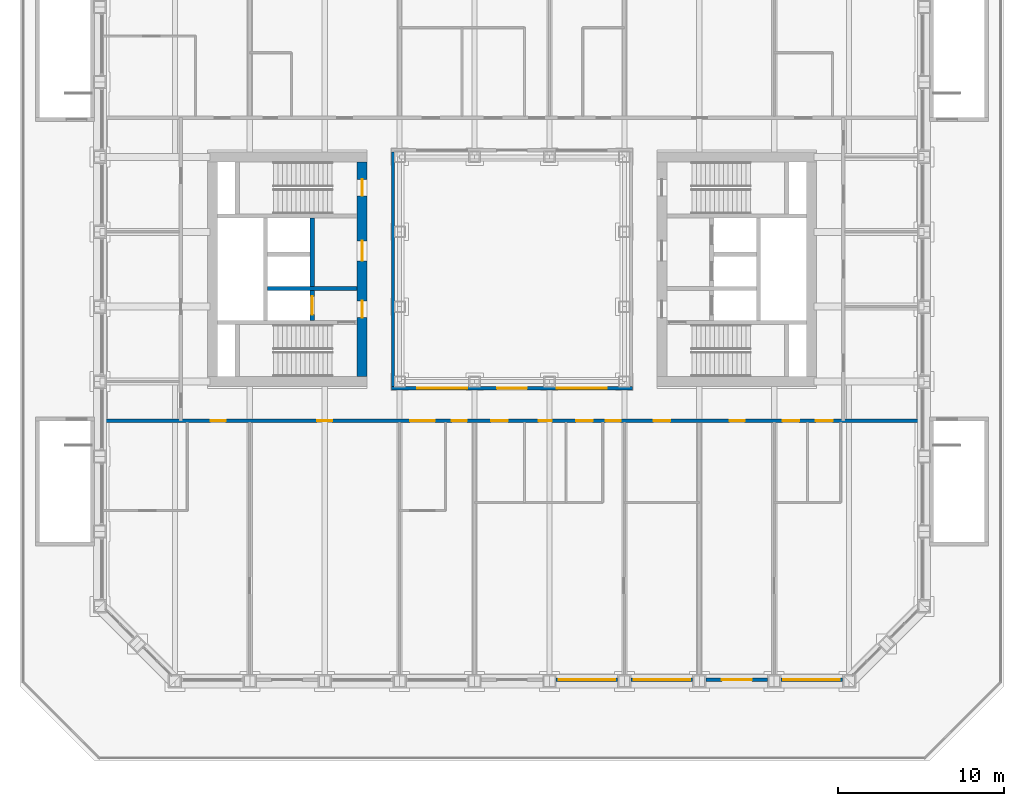
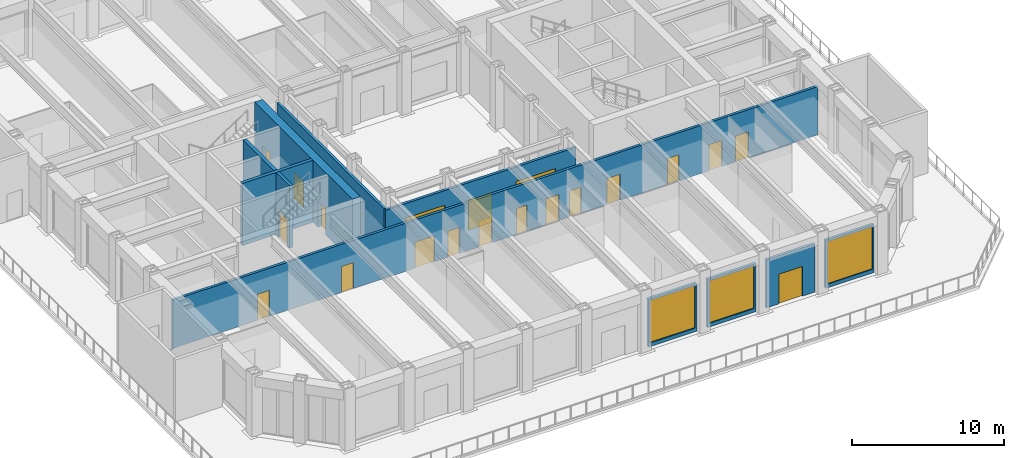
# One storey, part 10 of 18: 18 doors, 10 walls, 5 windows, 23 openings.
"""IFC4 building model written with IfcOpenShell, lengths in metres."""

from ifc_helpers import new_model, si_unit, direction, frame, frame_2d, origin, place, context, subcontext, project, spatial, rectangle, extrude, material, layer, layer_set, type_object, element, fill, save


model = new_model("IFC4")

# Units and contexts
model_context = context("Model", 3, precision=1e-05, world=origin(), true_north=direction((0.0, 1.0)))
body_context = subcontext(model_context, "Body", "Model", "MODEL_VIEW")
ifc_project = project(units=[si_unit("LENGTHUNIT", "METRE"), si_unit("AREAUNIT", "SQUARE_METRE"), si_unit("VOLUMEUNIT", "CUBIC_METRE"), si_unit("PLANEANGLEUNIT", "RADIAN"), si_unit("MASSUNIT", "GRAM", prefix="KILO")], contexts=[model_context])

# Site, building, storey
site_placement = place(None, origin())
site = spatial("IfcSite", under=ifc_project, at=site_placement, CompositionType="ELEMENT")
building_placement = place(site_placement, origin())
building = spatial("IfcBuilding", under=site, at=building_placement, Name="Msasa Ring Tower", CompositionType="ELEMENT")
storey_placement = place(building_placement, frame((0.0, 0.0, 21.5)))
storey = spatial("IfcBuildingStorey", under=building, at=storey_placement, Name="L04", CompositionType="ELEMENT", Elevation=21.5)

# Wall, openings, doors
ifc_material_1 = material(Name="Concrete C60/75", Category="concrete")
ifc_layer_1 = layer(ifc_material_1, 0.60009765625)
ifc_layer_set_1 = layer_set([ifc_layer_1], Name="CW1 CORE WALL 600")
wall_type_1 = type_object("IfcWallType", Name="CW1 CORE WALL 600", PredefinedType="SHEAR", material=ifc_layer_set_1)
wall_1_placement = place(storey_placement, frame((-9.0, -6.449951171875, 0.0), z_axis=(0.0, 0.0, 1.0), x_axis=(0.0, 1.0, 0.0)))
wall_1 = element("IfcWall", 1, at=wall_1_placement, inside=storey, type_object=wall_type_1, Name="W core wall W L04", PredefinedType="SHEAR", context=body_context, shape_type="SweptSolid", body=[
    extrude(rectangle(XDim=12.89990234375, YDim=0.60009765625, at=frame_2d((6.449951171875, 0.0))), origin(), (0.0, 0.0, 1.0), 5.0),
])
opening_1_placement = place(wall_1_placement, frame((3.550048828125, 0.0, 0.0)))
opening_1 = element("IfcOpeningElement", 2, at=opening_1_placement, cuts=wall_1, Name="Opening L04-028", PredefinedType="OPENING", context=body_context, shape_type="SweptSolid", body=[
    extrude(rectangle(XDim=1.0, YDim=2.10009765625, at=frame_2d((0.5, 1.050048828125))), frame((0.0, 0.31005859375, 0.0), z_axis=(0.0, -1.0, 0.0), x_axis=(1.0, 0.0, 0.0)), (0.0, 0.0, 1.0), 0.6201171875),
])
opening_2_placement = place(wall_1_placement, frame((6.949951171875, 0.0, 0.0)))
opening_2 = element("IfcOpeningElement", 3, at=opening_2_placement, cuts=wall_1, Name="Opening L04-024", PredefinedType="OPENING", context=body_context, shape_type="SweptSolid", body=[
    extrude(rectangle(XDim=1.199951171875, YDim=2.10009765625, at=frame_2d((0.60009765625, 1.050048828125))), frame((0.0, 0.31005859375, 0.0), z_axis=(0.0, -1.0, 0.0), x_axis=(1.0, 0.0, 0.0)), (0.0, 0.0, 1.0), 0.6201171875),
])
opening_3_placement = place(wall_1_placement, frame((10.85009765625, 0.0, 0.0)))
opening_3 = element("IfcOpeningElement", 4, at=opening_3_placement, cuts=wall_1, Name="Opening L04-021", PredefinedType="OPENING", context=body_context, shape_type="SweptSolid", body=[
    extrude(rectangle(XDim=1.0, YDim=2.10009765625, at=frame_2d((0.5, 1.050048828125))), frame((0.0, 0.31005859375, 0.0), z_axis=(0.0, -1.0, 0.0), x_axis=(1.0, 0.0, 0.0)), (0.0, 0.0, 1.0), 0.6201171875),
])
ifc_material_2 = material(Name="Timber door leaf in a steel frame", Category="steel")
door_type_1 = type_object("IfcDoorType", Name="D26 WIDE SERVICE ROOM DOOR 1200x2100", OperationType="SINGLE_SWING_LEFT", PredefinedType="DOOR", material=ifc_material_2)
door_1_placement = place(opening_2_placement, origin())
door_1 = element("IfcDoor", 5, at=door_1_placement, inside=storey, type_object=door_type_1, Name="Door L04-WCR", OperationType="SINGLE_SWING_RIGHT", OverallHeight=2.10009765625, OverallWidth=1.199951171875, PredefinedType="DOOR", context=body_context, shape_type="SweptSolid", body=[
    extrude(rectangle(XDim=1.199951171875, YDim=2.10009765625, at=frame_2d((0.60009765625, 1.050048828125))), frame((0.0, 0.02490234375, 0.0), z_axis=(0.0, -1.0, 0.0), x_axis=(1.0, 0.0, 0.0)), (0.0, 0.0, 1.0), 0.050048828125),
])
fill(opening_2, door_1)
ifc_material_3 = material(Name="Timber door leaf in a steel frame", Category="steel")
door_type_2 = type_object("IfcDoorType", Name="D4 LOBBY DOOR 1000x2100", OperationType="SINGLE_SWING_LEFT", PredefinedType="DOOR", material=ifc_material_3)
door_2_placement = place(opening_1_placement, origin())
door_2 = element("IfcDoor", 6, at=door_2_placement, inside=storey, type_object=door_type_2, Name="Door L04-WFFL", OperationType="SINGLE_SWING_LEFT", OverallHeight=2.10009765625, OverallWidth=1.0, PredefinedType="DOOR", context=body_context, shape_type="SweptSolid", body=[
    extrude(rectangle(XDim=1.0, YDim=2.10009765625, at=frame_2d((0.5, 1.050048828125))), frame((0.0, 0.02490234375, 0.0), z_axis=(0.0, -1.0, 0.0), x_axis=(1.0, 0.0, 0.0)), (0.0, 0.0, 1.0), 0.050048828125),
])
fill(opening_1, door_2)
ifc_material_4 = material(Name="Timber door leaf in a steel frame", Category="steel")
door_type_3 = type_object("IfcDoorType", Name="D6 STAIR DOOR 1000x2100", OperationType="SINGLE_SWING_LEFT", PredefinedType="DOOR", material=ifc_material_4)
door_3_placement = place(opening_3_placement, origin())
door_3 = element("IfcDoor", 7, at=door_3_placement, inside=storey, type_object=door_type_3, Name="Door L04-WSTB", OperationType="SINGLE_SWING_RIGHT", OverallHeight=2.10009765625, OverallWidth=1.0, PredefinedType="DOOR", context=body_context, shape_type="SweptSolid", body=[
    extrude(rectangle(XDim=1.0, YDim=2.10009765625, at=frame_2d((0.5, 1.050048828125))), frame((0.0, 0.02490234375, 0.0), z_axis=(0.0, -1.0, 0.0), x_axis=(1.0, 0.0, 0.0)), (0.0, 0.0, 1.0), 0.050048828125),
])
fill(opening_3, door_3)

# Wall
ifc_material_5 = material(Name="Concrete C60/75", Category="concrete")
ifc_layer_2 = layer(ifc_material_5, 0.25)
ifc_layer_set_2 = layer_set([ifc_layer_2], Name="CW4 CORE INNER WALL 250")
wall_type_2 = type_object("IfcWallType", Name="CW4 CORE INNER WALL 250", PredefinedType="SHEAR", material=ifc_layer_set_2)
wall_2_placement = place(storey_placement, frame((-9.300048828125, -1.14990234375, 0.0), z_axis=(0.0, 0.0, 1.0), x_axis=(-1.0, 0.0, 0.0)))
element("IfcWall", 8, at=wall_2_placement, inside=storey, type_object=wall_type_2, Name="W core wall FFL L04", PredefinedType="SHEAR", context=body_context, shape_type="SweptSolid", body=[
    extrude(rectangle(XDim=5.375, YDim=0.25, at=frame_2d((2.6875, 0.0))), origin(), (0.0, 0.0, 1.0), 5.0),
])

# Wall, opening, door
wall_3_placement = place(storey_placement, frame((-12.0, -3.074951171875, 0.0), z_axis=(0.0, 0.0, 1.0), x_axis=(0.0, 1.0, 0.0)))
wall_3 = element("IfcWall", 9, at=wall_3_placement, inside=storey, type_object=wall_type_2, Name="W core wall LOBBY L04", PredefinedType="SHEAR", context=body_context, shape_type="SweptSolid", body=[
    extrude(rectangle(XDim=6.14990234375, YDim=0.25, at=frame_2d((3.074951171875, 0.0))), origin(), (0.0, 0.0, 1.0), 5.0),
])
opening_4_placement = place(wall_3_placement, frame((0.35009765625, 0.0, 0.0)))
opening_4 = element("IfcOpeningElement", 10, at=opening_4_placement, cuts=wall_3, Name="Opening LD1", PredefinedType="OPENING", context=body_context, shape_type="SweptSolid", body=[
    extrude(rectangle(XDim=1.10009765625, YDim=2.10009765625, at=frame_2d((0.550048828125, 1.050048828125))), frame((0.0, 0.135009765625, 0.0), z_axis=(0.0, -1.0, 0.0), x_axis=(1.0, 0.0, 0.0)), (0.0, 0.0, 1.0), 0.27001953125),
])
ifc_material_6 = material(Name="Stainless steel lift landing door", Category="steel")
door_type_4 = type_object("IfcDoorType", Name="LD1 LIFT LANDING DOOR 1100x2100", OperationType="DOUBLE_DOOR_SLIDING", PredefinedType="DOOR", material=ifc_material_6)
door_4_placement = place(opening_4_placement, origin())
door_4 = element("IfcDoor", 11, at=door_4_placement, inside=storey, type_object=door_type_4, Name="Lift landing door FL-W L04", OperationType="DOUBLE_DOOR_SLIDING", OverallHeight=2.10009765625, OverallWidth=1.10009765625, PredefinedType="DOOR", context=body_context, shape_type="SweptSolid", body=[
    extrude(rectangle(XDim=1.10009765625, YDim=2.10009765625, at=frame_2d((0.550048828125, 1.050048828125))), frame((0.0, 0.02490234375, 0.0), z_axis=(0.0, -1.0, 0.0), x_axis=(1.0, 0.0, 0.0)), (0.0, 0.0, 1.0), 0.050048828125),
])
fill(opening_4, door_4)

# Wall, opening, window
ifc_material_7 = material(Name="Terracotta rainscreen on blockwork", Category="masonry")
ifc_layer_3 = layer(ifc_material_7, 0.199951171875)
ifc_layer_set_3 = layer_set([ifc_layer_3], Name="FW1 TERRACOTTA-LINED INFILL BAY WALL 200")
wall_type_3 = type_object("IfcWallType", Name="FW1 TERRACOTTA-LINED INFILL BAY WALL 200", PredefinedType="SOLIDWALL", material=ifc_layer_set_3)
wall_4_placement = place(storey_placement, frame((2.655029296875, -24.64990234375, 0.0), z_axis=(0.0, 0.0, 1.0), x_axis=(1.0, 0.0, 0.0)))
wall_4 = element("IfcWall", 12, at=wall_4_placement, inside=storey, type_object=wall_type_3, Name="Infill bay wall S L04 05", PredefinedType="SOLIDWALL", context=body_context, shape_type="SweptSolid", body=[
    extrude(rectangle(XDim=3.68994140625, YDim=0.199951171875, at=frame_2d((1.844970703125, 0.0))), origin(), (0.0, 0.0, 1.0), 3.87890625),
])
opening_5_placement = place(wall_4_placement, frame((0.14501953125, 0.0, 0.300048828125)))
opening_5 = element("IfcOpeningElement", 13, at=opening_5_placement, cuts=wall_4, Name="Opening WN4", PredefinedType="OPENING", context=body_context, shape_type="SweptSolid", body=[
    extrude(rectangle(XDim=3.39990234375, YDim=3.428955078125, at=frame_2d((1.699951171875, 1.71435546875))), frame((0.0, 0.10986328125, 0.0), z_axis=(0.0, -1.0, 0.0), x_axis=(1.0, 0.0, 0.0)), (0.0, 0.0, 1.0), 0.219970703125),
])
ifc_material_8 = material(Name="Aluminium frame with clear glass", Category="aluminium")
window_type_1 = type_object("IfcWindowType", Name="WN4 AMENITY WINDOW 3400x3429", PartitioningType="SINGLE_PANEL", PredefinedType="WINDOW", material=ifc_material_8)
window_1_placement = place(opening_5_placement, origin())
window_1 = element("IfcWindow", 14, at=window_1_placement, inside=storey, type_object=window_type_1, Name="Window S L04 05", OverallHeight=3.428955078125, OverallWidth=3.39990234375, PartitioningType="SINGLE_PANEL", PredefinedType="WINDOW", context=body_context, shape_type="SweptSolid", body=[
    extrude(rectangle(XDim=3.39990234375, YDim=3.428955078125, at=frame_2d((1.699951171875, 1.71435546875))), frame((0.0, 0.030029296875, 0.0), z_axis=(0.0, -1.0, 0.0), x_axis=(1.0, 0.0, 0.0)), (0.0, 0.0, 1.0), 0.06005859375),
])
fill(opening_5, window_1)

wall_5_placement = place(storey_placement, frame((7.155029296875, -24.64990234375, 0.0), z_axis=(0.0, 0.0, 1.0), x_axis=(1.0, 0.0, 0.0)))
wall_5 = element("IfcWall", 15, at=wall_5_placement, inside=storey, type_object=wall_type_3, Name="Infill bay wall S L04 06", PredefinedType="SOLIDWALL", context=body_context, shape_type="SweptSolid", body=[
    extrude(rectangle(XDim=3.68994140625, YDim=0.199951171875, at=frame_2d((1.844970703125, 0.0))), origin(), (0.0, 0.0, 1.0), 3.87890625),
])
opening_6_placement = place(wall_5_placement, frame((0.14501953125, 0.0, 0.300048828125)))
opening_6 = element("IfcOpeningElement", 16, at=opening_6_placement, cuts=wall_5, Name="Opening WN4", PredefinedType="OPENING", context=body_context, shape_type="SweptSolid", body=[
    extrude(rectangle(XDim=3.39990234375, YDim=3.428955078125, at=frame_2d((1.699951171875, 1.71435546875))), frame((0.0, 0.10986328125, 0.0), z_axis=(0.0, -1.0, 0.0), x_axis=(1.0, 0.0, 0.0)), (0.0, 0.0, 1.0), 0.219970703125),
])
window_2_placement = place(opening_6_placement, origin())
window_2 = element("IfcWindow", 17, at=window_2_placement, inside=storey, type_object=window_type_1, Name="Window S L04 06", OverallHeight=3.428955078125, OverallWidth=3.39990234375, PartitioningType="SINGLE_PANEL", PredefinedType="WINDOW", context=body_context, shape_type="SweptSolid", body=[
    extrude(rectangle(XDim=3.39990234375, YDim=3.428955078125, at=frame_2d((1.699951171875, 1.71435546875))), frame((0.0, 0.030029296875, 0.0), z_axis=(0.0, -1.0, 0.0), x_axis=(1.0, 0.0, 0.0)), (0.0, 0.0, 1.0), 0.06005859375),
])
fill(opening_6, window_2)

# Wall, opening, door
wall_6_placement = place(storey_placement, frame((11.655029296875, -24.64990234375, 0.0), z_axis=(0.0, 0.0, 1.0), x_axis=(1.0, 0.0, 0.0)))
wall_6 = element("IfcWall", 18, at=wall_6_placement, inside=storey, type_object=wall_type_3, Name="Infill bay wall S L04 07", PredefinedType="SOLIDWALL", context=body_context, shape_type="SweptSolid", body=[
    extrude(rectangle(XDim=3.68994140625, YDim=0.199951171875, at=frame_2d((1.844970703125, 0.0))), origin(), (0.0, 0.0, 1.0), 3.87890625),
])
opening_7_placement = place(wall_6_placement, frame((0.945068359375, 0.0, 0.0)))
opening_7 = element("IfcOpeningElement", 19, at=opening_7_placement, cuts=wall_6, Name="Opening L04-056", PredefinedType="OPENING", context=body_context, shape_type="SweptSolid", body=[
    extrude(rectangle(XDim=1.800048828125, YDim=2.39990234375, at=frame_2d((0.89990234375, 1.199951171875))), frame((0.0, 0.10986328125, 0.0), z_axis=(0.0, -1.0, 0.0), x_axis=(1.0, 0.0, 0.0)), (0.0, 0.0, 1.0), 0.219970703125),
])
ifc_material_9 = material(Name="Aluminium frame with clear glass", Category="aluminium")
door_type_5 = type_object("IfcDoorType", Name="ED1 TERRACE DOOR 1800x2400", OperationType="DOUBLE_DOOR_SINGLE_SWING", PredefinedType="DOOR", material=ifc_material_9)
door_5_placement = place(opening_7_placement, origin())
door_5 = element("IfcDoor", 20, at=door_5_placement, inside=storey, type_object=door_type_5, Name="Terrace door S L04", OperationType="DOUBLE_DOOR_SINGLE_SWING", OverallHeight=2.39990234375, OverallWidth=1.800048828125, PredefinedType="DOOR", context=body_context, shape_type="SweptSolid", body=[
    extrude(rectangle(XDim=1.800048828125, YDim=2.39990234375, at=frame_2d((0.89990234375, 1.199951171875))), frame((0.0, 0.02490234375, 0.0), z_axis=(0.0, -1.0, 0.0), x_axis=(1.0, 0.0, 0.0)), (0.0, 0.0, 1.0), 0.050048828125),
])
fill(opening_7, door_5)

# Wall, opening, window
wall_7_placement = place(storey_placement, frame((16.155029296875, -24.64990234375, 0.0), z_axis=(0.0, 0.0, 1.0), x_axis=(1.0, 0.0, 0.0)))
wall_7 = element("IfcWall", 21, at=wall_7_placement, inside=storey, type_object=wall_type_3, Name="Infill bay wall S L04 08", PredefinedType="SOLIDWALL", context=body_context, shape_type="SweptSolid", body=[
    extrude(rectangle(XDim=3.68994140625, YDim=0.199951171875, at=frame_2d((1.844970703125, 0.0))), origin(), (0.0, 0.0, 1.0), 3.87890625),
])
opening_8_placement = place(wall_7_placement, frame((0.14501953125, 0.0, 0.300048828125)))
opening_8 = element("IfcOpeningElement", 22, at=opening_8_placement, cuts=wall_7, Name="Opening WN4", PredefinedType="OPENING", context=body_context, shape_type="SweptSolid", body=[
    extrude(rectangle(XDim=3.39990234375, YDim=3.428955078125, at=frame_2d((1.699951171875, 1.71435546875))), frame((0.0, 0.10986328125, 0.0), z_axis=(0.0, -1.0, 0.0), x_axis=(1.0, 0.0, 0.0)), (0.0, 0.0, 1.0), 0.219970703125),
])
window_3_placement = place(opening_8_placement, origin())
window_3 = element("IfcWindow", 23, at=window_3_placement, inside=storey, type_object=window_type_1, Name="Window S L04 08", OverallHeight=3.428955078125, OverallWidth=3.39990234375, PartitioningType="SINGLE_PANEL", PredefinedType="WINDOW", context=body_context, shape_type="SweptSolid", body=[
    extrude(rectangle(XDim=3.39990234375, YDim=3.428955078125, at=frame_2d((1.699951171875, 1.71435546875))), frame((0.0, 0.030029296875, 0.0), z_axis=(0.0, -1.0, 0.0), x_axis=(1.0, 0.0, 0.0)), (0.0, 0.0, 1.0), 0.06005859375),
])
fill(opening_8, window_3)

# Wall, openings, door, windows
ifc_material_10 = material(Name="Terracotta rainscreen on blockwork", Category="masonry")
ifc_layer_4 = layer(ifc_material_10, 0.199951171875)
ifc_layer_set_4 = layer_set([ifc_layer_4], Name="FW4 LIGHT WELL WALL 200")
wall_type_4 = type_object("IfcWallType", Name="FW4 LIGHT WELL WALL 200", PredefinedType="SOLIDWALL", material=ifc_layer_set_4)
wall_8_placement = place(storey_placement, frame((-7.25, -7.14990234375, 0.0), z_axis=(0.0, 0.0, 1.0), x_axis=(1.0, 0.0, 0.0)))
wall_8 = element("IfcWall", 24, at=wall_8_placement, inside=storey, type_object=wall_type_4, Name="Light well wall S L04", PredefinedType="SOLIDWALL", context=body_context, shape_type="SweptSolid", body=[
    extrude(rectangle(XDim=14.5, YDim=0.199951171875, at=frame_2d((7.25, 0.0))), origin(), (0.0, 0.0, 1.0), 3.873291015625),
])
opening_9_placement = place(wall_8_placement, frame((6.35009765625, 0.0, 0.0)))
opening_9 = element("IfcOpeningElement", 25, at=opening_9_placement, cuts=wall_8, Name="Opening L04-033", PredefinedType="OPENING", context=body_context, shape_type="SweptSolid", body=[
    extrude(rectangle(XDim=1.800048828125, YDim=2.39990234375, at=frame_2d((0.89990234375, 1.199951171875))), frame((0.0, 0.10986328125, 0.0), z_axis=(0.0, -1.0, 0.0), x_axis=(1.0, 0.0, 0.0)), (0.0, 0.0, 1.0), 0.219970703125),
])
opening_10_placement = place(wall_8_placement, frame((1.550048828125, 0.0, 0.300048828125)))
opening_10 = element("IfcOpeningElement", 26, at=opening_10_placement, cuts=wall_8, Name="Opening WN5", PredefinedType="OPENING", context=body_context, shape_type="SweptSolid", body=[
    extrude(rectangle(XDim=3.0, YDim=2.39990234375, at=frame_2d((1.5, 1.199951171875))), frame((0.0, 0.10986328125, 0.0), z_axis=(0.0, -1.0, 0.0), x_axis=(1.0, 0.0, 0.0)), (0.0, 0.0, 1.0), 0.219970703125),
])
opening_11_placement = place(wall_8_placement, frame((9.949951171875, 0.0, 0.300048828125)))
opening_11 = element("IfcOpeningElement", 27, at=opening_11_placement, cuts=wall_8, Name="Opening WN5", PredefinedType="OPENING", context=body_context, shape_type="SweptSolid", body=[
    extrude(rectangle(XDim=3.0, YDim=2.39990234375, at=frame_2d((1.5, 1.199951171875))), frame((0.0, 0.10986328125, 0.0), z_axis=(0.0, -1.0, 0.0), x_axis=(1.0, 0.0, 0.0)), (0.0, 0.0, 1.0), 0.219970703125),
])
ifc_material_11 = material(Name="Aluminium frame with clear glass", Category="aluminium")
door_type_6 = type_object("IfcDoorType", Name="ED3 COURTYARD DOOR 1800x2400", OperationType="DOUBLE_DOOR_SINGLE_SWING", PredefinedType="DOOR", material=ifc_material_11)
door_6_placement = place(opening_9_placement, origin())
door_6 = element("IfcDoor", 28, at=door_6_placement, inside=storey, type_object=door_type_6, Name="Courtyard door S L04", OperationType="DOUBLE_DOOR_SINGLE_SWING", OverallHeight=2.39990234375, OverallWidth=1.800048828125, PredefinedType="DOOR", context=body_context, shape_type="SweptSolid", body=[
    extrude(rectangle(XDim=1.800048828125, YDim=2.39990234375, at=frame_2d((0.89990234375, 1.199951171875))), frame((0.0, 0.02490234375, 0.0), z_axis=(0.0, -1.0, 0.0), x_axis=(1.0, 0.0, 0.0)), (0.0, 0.0, 1.0), 0.050048828125),
])
fill(opening_9, door_6)
ifc_material_12 = material(Name="Aluminium frame with clear glass", Category="aluminium")
window_type_2 = type_object("IfcWindowType", Name="WN5 COURTYARD WINDOW 3000x2400", PartitioningType="SINGLE_PANEL", PredefinedType="WINDOW", material=ifc_material_12)
window_4_placement = place(opening_10_placement, origin())
window_4 = element("IfcWindow", 29, at=window_4_placement, inside=storey, type_object=window_type_2, Name="Courtyard window S L04", OverallHeight=2.39990234375, OverallWidth=3.0, PartitioningType="SINGLE_PANEL", PredefinedType="WINDOW", context=body_context, shape_type="SweptSolid", body=[
    extrude(rectangle(XDim=3.0, YDim=2.39990234375, at=frame_2d((1.5, 1.199951171875))), frame((0.0, 0.030029296875, 0.0), z_axis=(0.0, -1.0, 0.0), x_axis=(1.0, 0.0, 0.0)), (0.0, 0.0, 1.0), 0.06005859375),
])
fill(opening_10, window_4)
window_5_placement = place(opening_11_placement, origin())
window_5 = element("IfcWindow", 30, at=window_5_placement, inside=storey, type_object=window_type_2, Name="Courtyard window S L04", OverallHeight=2.39990234375, OverallWidth=3.0, PartitioningType="SINGLE_PANEL", PredefinedType="WINDOW", context=body_context, shape_type="SweptSolid", body=[
    extrude(rectangle(XDim=3.0, YDim=2.39990234375, at=frame_2d((1.5, 1.199951171875))), frame((0.0, 0.030029296875, 0.0), z_axis=(0.0, -1.0, 0.0), x_axis=(1.0, 0.0, 0.0)), (0.0, 0.0, 1.0), 0.06005859375),
])
fill(opening_11, window_5)

# Wall
wall_9_placement = place(storey_placement, frame((-7.14990234375, -7.050048828125, 0.0), z_axis=(0.0, 0.0, 1.0), x_axis=(0.0, 1.0, 0.0)))
element("IfcWall", 31, at=wall_9_placement, inside=storey, type_object=wall_type_4, Name="Light well wall W L04", PredefinedType="SOLIDWALL", context=body_context, shape_type="SweptSolid", body=[
    extrude(rectangle(XDim=14.10009765625, YDim=0.199951171875, at=frame_2d((7.050048828125, 0.0))), origin(), (0.0, 0.0, 1.0), 3.873291015625),
])

# Wall, openings, doors
ifc_material_13 = material(Name="Concrete blockwork", Category="masonry")
ifc_layer_5 = layer(ifc_material_13, 0.199951171875)
ifc_layer_set_5 = layer_set([ifc_layer_5], Name="PT1 CORRIDOR WALL 200")
wall_type_5 = type_object("IfcWallType", Name="PT1 CORRIDOR WALL 200", PredefinedType="PARTITIONING", material=ifc_layer_set_5)
wall_10_placement = place(storey_placement, frame((-24.550048828125, -9.10009765625, 0.0), z_axis=(0.0, 0.0, 1.0), x_axis=(1.0, 0.0, 0.0)))
wall_10 = element("IfcWall", 32, at=wall_10_placement, inside=storey, type_object=wall_type_5, Name="Corridor wall L04-CORRS0", PredefinedType="PARTITIONING", context=body_context, shape_type="SweptSolid", body=[
    extrude(rectangle(XDim=49.10009765625, YDim=0.199951171875, at=frame_2d((24.550048828125, 0.0))), origin(), (0.0, 0.0, 1.0), 3.873291015625),
])
opening_12_placement = place(wall_10_placement, frame((6.451904296875, 0.0, 0.0)))
opening_12 = element("IfcOpeningElement", 33, at=opening_12_placement, cuts=wall_10, Name="Opening L04-037", PredefinedType="OPENING", context=body_context, shape_type="SweptSolid", body=[
    extrude(rectangle(XDim=0.89990234375, YDim=2.10009765625, at=frame_2d((0.449951171875, 1.050048828125))), frame((0.0, 0.10986328125, 0.0), z_axis=(0.0, -1.0, 0.0), x_axis=(1.0, 0.0, 0.0)), (0.0, 0.0, 1.0), 0.219970703125),
])
opening_13_placement = place(wall_10_placement, frame((12.85009765625, 0.0, 0.0)))
opening_13 = element("IfcOpeningElement", 34, at=opening_13_placement, cuts=wall_10, Name="Opening L04-038", PredefinedType="OPENING", context=body_context, shape_type="SweptSolid", body=[
    extrude(rectangle(XDim=0.89990234375, YDim=2.10009765625, at=frame_2d((0.449951171875, 1.050048828125))), frame((0.0, 0.10986328125, 0.0), z_axis=(0.0, -1.0, 0.0), x_axis=(1.0, 0.0, 0.0)), (0.0, 0.0, 1.0), 0.219970703125),
])
opening_14_placement = place(wall_10_placement, frame((20.934326171875, 0.0, 0.0)))
opening_14 = element("IfcOpeningElement", 35, at=opening_14_placement, cuts=wall_10, Name="Opening L04-040", PredefinedType="OPENING", context=body_context, shape_type="SweptSolid", body=[
    extrude(rectangle(XDim=0.89990234375, YDim=2.10009765625, at=frame_2d((0.449951171875, 1.050048828125))), frame((0.0, 0.10986328125, 0.0), z_axis=(0.0, -1.0, 0.0), x_axis=(1.0, 0.0, 0.0)), (0.0, 0.0, 1.0), 0.219970703125),
])
opening_15_placement = place(wall_10_placement, frame((18.425048828125, 0.0, 0.0)))
opening_15 = element("IfcOpeningElement", 36, at=opening_15_placement, cuts=wall_10, Name="Opening L04-039", PredefinedType="OPENING", context=body_context, shape_type="SweptSolid", body=[
    extrude(rectangle(XDim=1.5, YDim=2.10009765625, at=frame_2d((0.75, 1.050048828125))), frame((0.0, 0.10986328125, 0.0), z_axis=(0.0, -1.0, 0.0), x_axis=(1.0, 0.0, 0.0)), (0.0, 0.0, 1.0), 0.219970703125),
])
opening_16_placement = place(wall_10_placement, frame((30.180419921875, 0.0, 0.0)))
opening_16 = element("IfcOpeningElement", 37, at=opening_16_placement, cuts=wall_10, Name="Opening L04-044", PredefinedType="OPENING", context=body_context, shape_type="SweptSolid", body=[
    extrude(rectangle(XDim=0.89990234375, YDim=2.10009765625, at=frame_2d((0.449951171875, 1.050048828125))), frame((0.0, 0.10986328125, 0.0), z_axis=(0.0, -1.0, 0.0), x_axis=(1.0, 0.0, 0.0)), (0.0, 0.0, 1.0), 0.219970703125),
])
opening_17_placement = place(wall_10_placement, frame((23.300048828125, 0.0, 0.0)))
opening_17 = element("IfcOpeningElement", 38, at=opening_17_placement, cuts=wall_10, Name="Opening L04-041", PredefinedType="OPENING", context=body_context, shape_type="SweptSolid", body=[
    extrude(rectangle(XDim=1.0, YDim=2.10009765625, at=frame_2d((0.5, 1.050048828125))), frame((0.0, 0.10986328125, 0.0), z_axis=(0.0, -1.0, 0.0), x_axis=(1.0, 0.0, 0.0)), (0.0, 0.0, 1.0), 0.219970703125),
])
opening_18_placement = place(wall_10_placement, frame((26.14990234375, 0.0, 0.0)))
opening_18 = element("IfcOpeningElement", 39, at=opening_18_placement, cuts=wall_10, Name="Opening L04-042", PredefinedType="OPENING", context=body_context, shape_type="SweptSolid", body=[
    extrude(rectangle(XDim=0.800048828125, YDim=2.10009765625, at=frame_2d((0.39990234375, 1.050048828125))), frame((0.0, 0.10986328125, 0.0), z_axis=(0.0, -1.0, 0.0), x_axis=(1.0, 0.0, 0.0)), (0.0, 0.0, 1.0), 0.219970703125),
])
opening_19_placement = place(wall_10_placement, frame((28.39990234375, 0.0, 0.0)))
opening_19 = element("IfcOpeningElement", 40, at=opening_19_placement, cuts=wall_10, Name="Opening L04-043", PredefinedType="OPENING", context=body_context, shape_type="SweptSolid", body=[
    extrude(rectangle(XDim=1.0, YDim=2.10009765625, at=frame_2d((0.5, 1.050048828125))), frame((0.0, 0.10986328125, 0.0), z_axis=(0.0, -1.0, 0.0), x_axis=(1.0, 0.0, 0.0)), (0.0, 0.0, 1.0), 0.219970703125),
])
opening_20_placement = place(wall_10_placement, frame((33.050048828125, 0.0, 0.0)))
opening_20 = element("IfcOpeningElement", 41, at=opening_20_placement, cuts=wall_10, Name="Opening L04-045", PredefinedType="OPENING", context=body_context, shape_type="SweptSolid", body=[
    extrude(rectangle(XDim=1.0, YDim=2.10009765625, at=frame_2d((0.5, 1.050048828125))), frame((0.0, 0.10986328125, 0.0), z_axis=(0.0, -1.0, 0.0), x_axis=(1.0, 0.0, 0.0)), (0.0, 0.0, 1.0), 0.219970703125),
])
opening_21_placement = place(wall_10_placement, frame((37.625, 0.0, 0.0)))
opening_21 = element("IfcOpeningElement", 42, at=opening_21_placement, cuts=wall_10, Name="Opening L04-046", PredefinedType="OPENING", context=body_context, shape_type="SweptSolid", body=[
    extrude(rectangle(XDim=0.89990234375, YDim=2.10009765625, at=frame_2d((0.449951171875, 1.050048828125))), frame((0.0, 0.10986328125, 0.0), z_axis=(0.0, -1.0, 0.0), x_axis=(1.0, 0.0, 0.0)), (0.0, 0.0, 1.0), 0.219970703125),
])
opening_22_placement = place(wall_10_placement, frame((40.800048828125, 0.0, 0.0)))
opening_22 = element("IfcOpeningElement", 43, at=opening_22_placement, cuts=wall_10, Name="Opening L04-047", PredefinedType="OPENING", context=body_context, shape_type="SweptSolid", body=[
    extrude(rectangle(XDim=1.0, YDim=2.10009765625, at=frame_2d((0.5, 1.050048828125))), frame((0.0, 0.10986328125, 0.0), z_axis=(0.0, -1.0, 0.0), x_axis=(1.0, 0.0, 0.0)), (0.0, 0.0, 1.0), 0.219970703125),
])
opening_23_placement = place(wall_10_placement, frame((42.800048828125, 0.0, 0.0)))
opening_23 = element("IfcOpeningElement", 44, at=opening_23_placement, cuts=wall_10, Name="Opening L04-048", PredefinedType="OPENING", context=body_context, shape_type="SweptSolid", body=[
    extrude(rectangle(XDim=1.0, YDim=2.10009765625, at=frame_2d((0.5, 1.050048828125))), frame((0.0, 0.10986328125, 0.0), z_axis=(0.0, -1.0, 0.0), x_axis=(1.0, 0.0, 0.0)), (0.0, 0.0, 1.0), 0.219970703125),
])
ifc_material_14 = material(Name="Timber door leaf in a steel frame", Category="steel")
door_type_7 = type_object("IfcDoorType", Name="D1 SINGLE DOOR TO CORRIDOR 900x2100", OperationType="SINGLE_SWING_LEFT", PredefinedType="DOOR", material=ifc_material_14)
door_7_placement = place(opening_12_placement, origin())
door_7 = element("IfcDoor", 45, at=door_7_placement, inside=storey, type_object=door_type_7, Name="Door L04-AMS0F0", OperationType="SINGLE_SWING_LEFT", OverallHeight=2.10009765625, OverallWidth=0.89990234375, PredefinedType="DOOR", context=body_context, shape_type="SweptSolid", body=[
    extrude(rectangle(XDim=0.89990234375, YDim=2.10009765625, at=frame_2d((0.449951171875, 1.050048828125))), frame((0.0, 0.02490234375, 0.0), z_axis=(0.0, -1.0, 0.0), x_axis=(1.0, 0.0, 0.0)), (0.0, 0.0, 1.0), 0.050048828125),
])
fill(opening_12, door_7)
door_8_placement = place(opening_13_placement, origin())
door_8 = element("IfcDoor", 46, at=door_8_placement, inside=storey, type_object=door_type_7, Name="Door L04-AMS0F1", OperationType="SINGLE_SWING_LEFT", OverallHeight=2.10009765625, OverallWidth=0.89990234375, PredefinedType="DOOR", context=body_context, shape_type="SweptSolid", body=[
    extrude(rectangle(XDim=0.89990234375, YDim=2.10009765625, at=frame_2d((0.449951171875, 1.050048828125))), frame((0.0, 0.02490234375, 0.0), z_axis=(0.0, -1.0, 0.0), x_axis=(1.0, 0.0, 0.0)), (0.0, 0.0, 1.0), 0.050048828125),
])
fill(opening_13, door_8)
door_9_placement = place(opening_14_placement, origin())
door_9 = element("IfcDoor", 47, at=door_9_placement, inside=storey, type_object=door_type_7, Name="Door L04-AMS0F2", OperationType="SINGLE_SWING_LEFT", OverallHeight=2.10009765625, OverallWidth=0.89990234375, PredefinedType="DOOR", context=body_context, shape_type="SweptSolid", body=[
    extrude(rectangle(XDim=0.89990234375, YDim=2.10009765625, at=frame_2d((0.449951171875, 1.050048828125))), frame((0.0, 0.02490234375, 0.0), z_axis=(0.0, -1.0, 0.0), x_axis=(1.0, 0.0, 0.0)), (0.0, 0.0, 1.0), 0.050048828125),
])
fill(opening_14, door_9)
door_10_placement = place(opening_16_placement, origin())
door_10 = element("IfcDoor", 48, at=door_10_placement, inside=storey, type_object=door_type_7, Name="Door L04-AMS1F0", OperationType="SINGLE_SWING_RIGHT", OverallHeight=2.10009765625, OverallWidth=0.89990234375, PredefinedType="DOOR", context=body_context, shape_type="SweptSolid", body=[
    extrude(rectangle(XDim=0.89990234375, YDim=2.10009765625, at=frame_2d((0.449951171875, 1.050048828125))), frame((0.0, 0.02490234375, 0.0), z_axis=(0.0, -1.0, 0.0), x_axis=(1.0, 0.0, 0.0)), (0.0, 0.0, 1.0), 0.050048828125),
])
fill(opening_16, door_10)
door_11_placement = place(opening_21_placement, origin())
door_11 = element("IfcDoor", 49, at=door_11_placement, inside=storey, type_object=door_type_7, Name="Door L04-AMS2F0", OperationType="SINGLE_SWING_RIGHT", OverallHeight=2.10009765625, OverallWidth=0.89990234375, PredefinedType="DOOR", context=body_context, shape_type="SweptSolid", body=[
    extrude(rectangle(XDim=0.89990234375, YDim=2.10009765625, at=frame_2d((0.449951171875, 1.050048828125))), frame((0.0, 0.02490234375, 0.0), z_axis=(0.0, -1.0, 0.0), x_axis=(1.0, 0.0, 0.0)), (0.0, 0.0, 1.0), 0.050048828125),
])
fill(opening_21, door_11)
ifc_material_15 = material(Name="Timber door leaf in a steel frame", Category="steel")
door_type_8 = type_object("IfcDoorType", Name="D10 STORE DOOR 1000x2100", OperationType="SINGLE_SWING_LEFT", PredefinedType="DOOR", material=ifc_material_15)
door_12_placement = place(opening_19_placement, origin())
door_12 = element("IfcDoor", 50, at=door_12_placement, inside=storey, type_object=door_type_8, Name="Door L04-AMS1B2", OperationType="SINGLE_SWING_RIGHT", OverallHeight=2.10009765625, OverallWidth=1.0, PredefinedType="DOOR", context=body_context, shape_type="SweptSolid", body=[
    extrude(rectangle(XDim=1.0, YDim=2.10009765625, at=frame_2d((0.5, 1.050048828125))), frame((0.0, 0.02490234375, 0.0), z_axis=(0.0, -1.0, 0.0), x_axis=(1.0, 0.0, 0.0)), (0.0, 0.0, 1.0), 0.050048828125),
])
fill(opening_19, door_12)
door_13_placement = place(opening_22_placement, origin())
door_13 = element("IfcDoor", 51, at=door_13_placement, inside=storey, type_object=door_type_8, Name="Door L04-AMS2B0", OperationType="SINGLE_SWING_RIGHT", OverallHeight=2.10009765625, OverallWidth=1.0, PredefinedType="DOOR", context=body_context, shape_type="SweptSolid", body=[
    extrude(rectangle(XDim=1.0, YDim=2.10009765625, at=frame_2d((0.5, 1.050048828125))), frame((0.0, 0.02490234375, 0.0), z_axis=(0.0, -1.0, 0.0), x_axis=(1.0, 0.0, 0.0)), (0.0, 0.0, 1.0), 0.050048828125),
])
fill(opening_22, door_13)
door_14_placement = place(opening_23_placement, origin())
door_14 = element("IfcDoor", 52, at=door_14_placement, inside=storey, type_object=door_type_8, Name="Door L04-AMS2B1", OperationType="SINGLE_SWING_RIGHT", OverallHeight=2.10009765625, OverallWidth=1.0, PredefinedType="DOOR", context=body_context, shape_type="SweptSolid", body=[
    extrude(rectangle(XDim=1.0, YDim=2.10009765625, at=frame_2d((0.5, 1.050048828125))), frame((0.0, 0.02490234375, 0.0), z_axis=(0.0, -1.0, 0.0), x_axis=(1.0, 0.0, 0.0)), (0.0, 0.0, 1.0), 0.050048828125),
])
fill(opening_23, door_14)
ifc_material_16 = material(Name="Timber door leaf in a steel frame", Category="steel")
door_type_9 = type_object("IfcDoorType", Name="D11 NARROW STORE DOOR 800x2100", OperationType="SINGLE_SWING_LEFT", PredefinedType="DOOR", material=ifc_material_16)
door_15_placement = place(opening_18_placement, origin())
door_15 = element("IfcDoor", 53, at=door_15_placement, inside=storey, type_object=door_type_9, Name="Door L04-AMS1B1", OperationType="SINGLE_SWING_RIGHT", OverallHeight=2.10009765625, OverallWidth=0.800048828125, PredefinedType="DOOR", context=body_context, shape_type="SweptSolid", body=[
    extrude(rectangle(XDim=0.800048828125, YDim=2.10009765625, at=frame_2d((0.39990234375, 1.050048828125))), frame((0.0, 0.02490234375, 0.0), z_axis=(0.0, -1.0, 0.0), x_axis=(1.0, 0.0, 0.0)), (0.0, 0.0, 1.0), 0.050048828125),
])
fill(opening_18, door_15)
ifc_material_17 = material(Name="Timber door leaf in a steel frame", Category="steel")
door_type_10 = type_object("IfcDoorType", Name="D19 KITCHEN DOUBLE SWING DOOR 1500x2100", OperationType="SINGLE_SWING_LEFT", PredefinedType="DOOR", material=ifc_material_17)
door_16_placement = place(opening_15_placement, origin())
door_16 = element("IfcDoor", 54, at=door_16_placement, inside=storey, type_object=door_type_10, Name="Door L04-AMS0B1C", OperationType="SINGLE_SWING_LEFT", OverallHeight=2.10009765625, OverallWidth=1.5, PredefinedType="DOOR", context=body_context, shape_type="SweptSolid", body=[
    extrude(rectangle(XDim=1.5, YDim=2.10009765625, at=frame_2d((0.75, 1.050048828125))), frame((0.0, 0.02490234375, 0.0), z_axis=(0.0, -1.0, 0.0), x_axis=(1.0, 0.0, 0.0)), (0.0, 0.0, 1.0), 0.050048828125),
])
fill(opening_15, door_16)
ifc_material_18 = material(Name="Timber door leaf in a steel frame", Category="steel")
door_type_11 = type_object("IfcDoorType", Name="D40 SINGLE DOOR TO CORRIDOR 1000x2100", OperationType="SINGLE_SWING_LEFT", PredefinedType="DOOR", material=ifc_material_18)
door_17_placement = place(opening_17_placement, origin())
door_17 = element("IfcDoor", 55, at=door_17_placement, inside=storey, type_object=door_type_11, Name="Door L04-AMS1B0", OperationType="SINGLE_SWING_LEFT", OverallHeight=2.10009765625, OverallWidth=1.0, PredefinedType="DOOR", context=body_context, shape_type="SweptSolid", body=[
    extrude(rectangle(XDim=1.0, YDim=2.10009765625, at=frame_2d((0.5, 1.050048828125))), frame((0.0, 0.02490234375, 0.0), z_axis=(0.0, -1.0, 0.0), x_axis=(1.0, 0.0, 0.0)), (0.0, 0.0, 1.0), 0.050048828125),
])
fill(opening_17, door_17)
door_18_placement = place(opening_20_placement, origin())
door_18 = element("IfcDoor", 56, at=door_18_placement, inside=storey, type_object=door_type_11, Name="Door L04-AMS1B3", OperationType="SINGLE_SWING_RIGHT", OverallHeight=2.10009765625, OverallWidth=1.0, PredefinedType="DOOR", context=body_context, shape_type="SweptSolid", body=[
    extrude(rectangle(XDim=1.0, YDim=2.10009765625, at=frame_2d((0.5, 1.050048828125))), frame((0.0, 0.02490234375, 0.0), z_axis=(0.0, -1.0, 0.0), x_axis=(1.0, 0.0, 0.0)), (0.0, 0.0, 1.0), 0.050048828125),
])
fill(opening_20, door_18)

save(model, "model.ifc")
